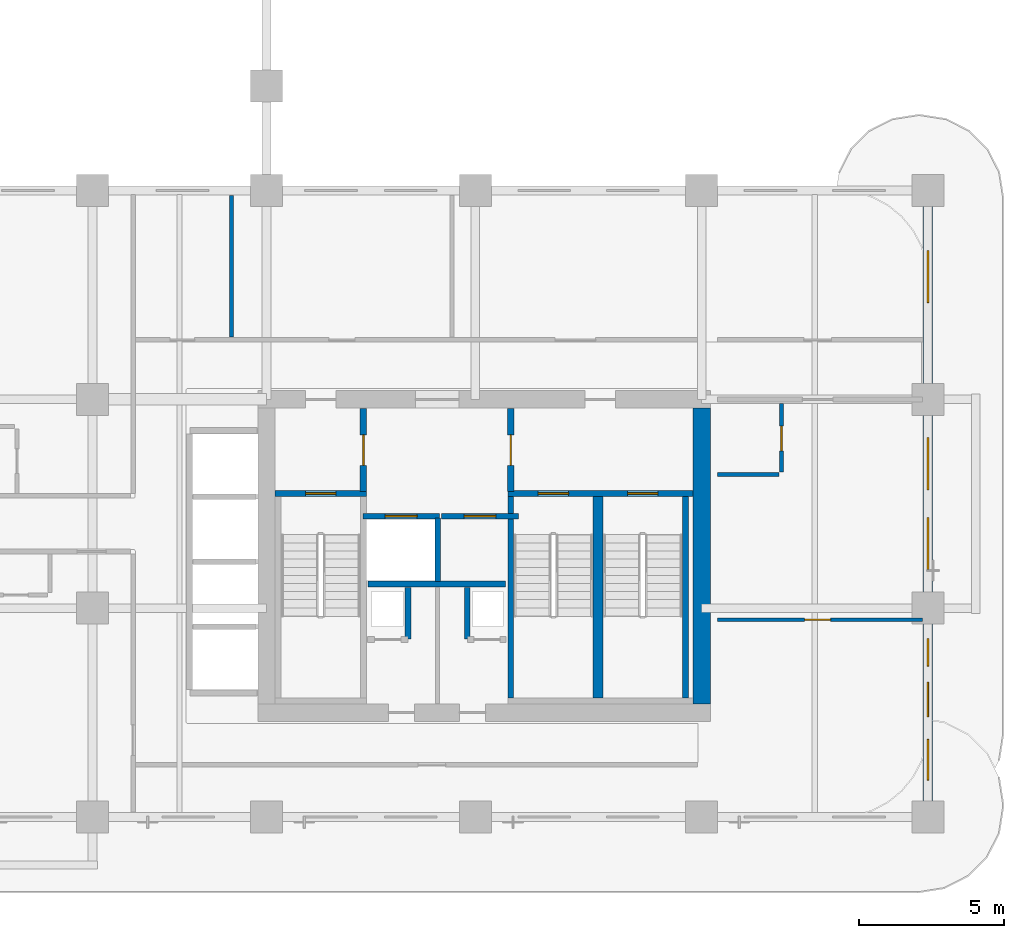
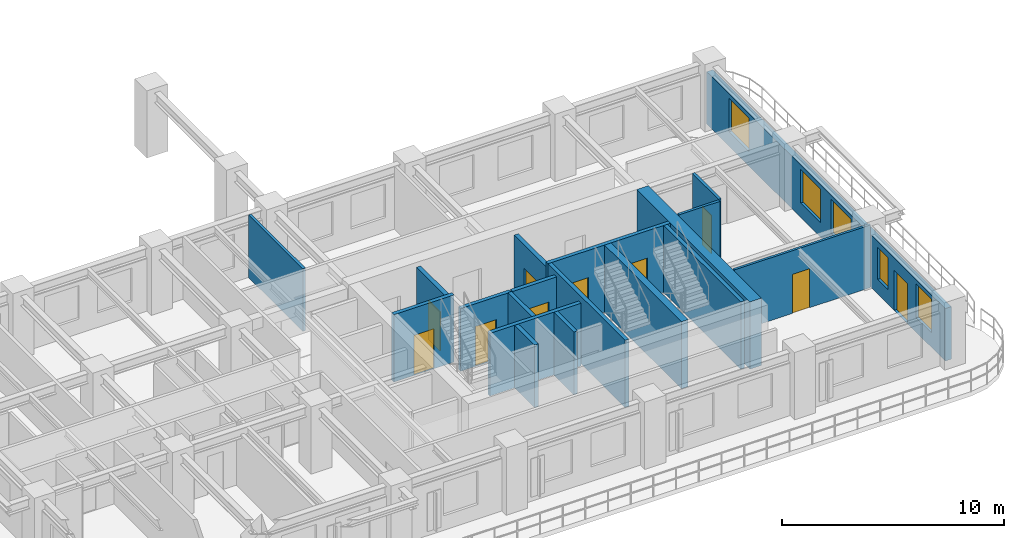
# One storey, part 9 of 19: 19 walls, 10 doors, 5 windows, 15 openings.
"""IFC4 building model written with IfcOpenShell, lengths in metres."""

from ifc_helpers import new_model, si_unit, derived_unit, direction, frame, frame_2d, origin, place, context, subcontext, project, spatial, rectangle, extrude, source, transform, mapped, material, layer, layer_set, type_object, type_shapes, element, fill, save


model = new_model("IFC4")

# Units and contexts
model_context = context("Model", 3, precision=1e-05, world=origin(), true_north=direction((0.0, 1.0)))
body_context = subcontext(model_context, "Body", "Model", "MODEL_VIEW")
ifc_project = project(units=[si_unit("LENGTHUNIT", "METRE"), si_unit("AREAUNIT", "SQUARE_METRE"), si_unit("VOLUMEUNIT", "CUBIC_METRE"), si_unit("PLANEANGLEUNIT", "RADIAN"), si_unit("MASSUNIT", "GRAM", prefix="KILO"), si_unit("THERMODYNAMICTEMPERATUREUNIT", "KELVIN"), si_unit("POWERUNIT", "WATT"), derived_unit("THERMALTRANSMITTANCEUNIT", [(si_unit("POWERUNIT", "WATT"), 1), (si_unit("AREAUNIT", "SQUARE_METRE"), -1), (si_unit("THERMODYNAMICTEMPERATUREUNIT", "KELVIN"), -1)])], contexts=[model_context])

# Site, building, storey
site_placement = place(None, origin())
site = spatial("IfcSite", under=ifc_project, at=site_placement, CompositionType="ELEMENT")
building_placement = place(site_placement, origin())
building = spatial("IfcBuilding", under=site, at=building_placement, Name="Zahravan Archway Hotel and Residences", CompositionType="ELEMENT")
storey_placement = place(building_placement, frame((0.0, 0.0, 32.39990234375)))
storey = spatial("IfcBuildingStorey", under=building, at=storey_placement, Name="L06", CompositionType="ELEMENT", Elevation=32.39990234375)

# Wall
ifc_material_1 = material(Name="Concrete C70/85", Category="concrete")
ifc_layer_1 = layer(ifc_material_1, 0.60009765625, Name="Concrete C70/85", Category="concrete")
ifc_layer_set_1 = layer_set([ifc_layer_1], Name="Concrete C70/85")
wall_type_1 = type_object("IfcWallType", Name="CW-CORE-600", PredefinedType="SHEAR", material=ifc_layer_set_1)
wall_1_placement = place(storey_placement, frame((49.800048828125, 3.89990234375, 0.0), z_axis=(0.0, 0.0, 1.0), x_axis=(0.0, 1.0, 0.0)))
element("IfcWall", 1, at=wall_1_placement, inside=storey, type_object=wall_type_1, Name="L06 Core A Shear E Wall 600 mm", PredefinedType="SHEAR", context=body_context, shape_type="SweptSolid", body=[
    extrude(rectangle(XDim=10.2001953125, YDim=0.60009765625, at=frame_2d((5.10009765625, 0.0))), origin(), (0.0, 0.0, 1.0), 3.7001953125),
])

# Wall, openings, door, windows
ifc_material_2 = material(Name="Agra Buff Sandstone & Insulated Backup", Category="masonry")
ifc_layer_2 = layer(ifc_material_2, 0.320068359375, Name="Agra Buff Sandstone & Insulated Backup", Category="masonry")
ifc_layer_set_2 = layer_set([ifc_layer_2], Name="Agra Buff Sandstone & Insulated Backup")
wall_type_2 = type_object("IfcWallType", Name="EW-SAND-320", PredefinedType="SOLIDWALL", material=ifc_layer_set_2)
wall_2_placement = place(storey_placement, frame((57.60009765625, 0.050048828125, 0.0), z_axis=(0.0, 0.0, 1.0), x_axis=(0.0, 1.0, 0.0)))
wall_2 = element("IfcWall", 2, at=wall_2_placement, inside=storey, type_object=wall_type_2, Name="L06 Exterior Sandstone Wall WA-E", PredefinedType="SOLIDWALL", context=body_context, shape_type="SweptSolid", body=[
    extrude(rectangle(XDim=21.5, YDim=0.320068359375, at=frame_2d((10.75, 0.0))), origin(), (0.0, 0.0, 1.0), 2.885009765625),
])
opening_1_placement = place(wall_2_placement, frame((3.39990234375, 0.0, 0.0)))
opening_1 = element("IfcOpeningElement", 3, at=opening_1_placement, cuts=wall_2, Name="Opening ED-BL1", PredefinedType="OPENING", context=body_context, shape_type="SweptSolid", body=[
    extrude(rectangle(XDim=1.199951171875, YDim=2.199951171875, at=frame_2d((0.60009765625, 1.10009765625))), frame((0.0, 0.169921875, 0.0), z_axis=(0.0, -1.0, 0.0), x_axis=(1.0, 0.0, 0.0)), (0.0, 0.0, 1.0), 0.340087890625),
])
opening_2_placement = place(wall_2_placement, frame((1.22509765625, 0.0, 0.800048828125)))
opening_2 = element("IfcOpeningElement", 4, at=opening_2_placement, cuts=wall_2, Name="Opening W-03", PredefinedType="OPENING", context=body_context, shape_type="SweptSolid", body=[
    extrude(rectangle(XDim=1.39990234375, YDim=1.85009765625, at=frame_2d((0.699951171875, 0.925048828125))), frame((0.0, 0.169921875, 0.0), z_axis=(0.0, -1.0, 0.0), x_axis=(1.0, 0.0, 0.0)), (0.0, 0.0, 1.0), 0.340087890625),
])
opening_3_placement = place(wall_2_placement, frame((5.14990234375, 0.0, 0.800048828125)))
opening_3 = element("IfcOpeningElement", 5, at=opening_3_placement, cuts=wall_2, Name="Opening W-04", PredefinedType="OPENING", context=body_context, shape_type="SweptSolid", body=[
    extrude(rectangle(XDim=0.949951171875, YDim=1.75, at=frame_2d((0.47509765625, 0.875))), frame((0.0, 0.169921875, 0.0), z_axis=(0.0, -1.0, 0.0), x_axis=(1.0, 0.0, 0.0)), (0.0, 0.0, 1.0), 0.340087890625),
])
opening_4_placement = place(wall_2_placement, frame((8.47509765625, 0.0, 0.800048828125)))
opening_4 = element("IfcOpeningElement", 6, at=opening_4_placement, cuts=wall_2, Name="Opening W-02", PredefinedType="OPENING", context=body_context, shape_type="SweptSolid", body=[
    extrude(rectangle(XDim=1.800048828125, YDim=1.85009765625, at=frame_2d((0.89990234375, 0.925048828125))), frame((0.0, 0.169921875, 0.0), z_axis=(0.0, -1.0, 0.0), x_axis=(1.0, 0.0, 0.0)), (0.0, 0.0, 1.0), 0.340087890625),
])
opening_5_placement = place(wall_2_placement, frame((11.22509765625, 0.0, 0.800048828125)))
opening_5 = element("IfcOpeningElement", 7, at=opening_5_placement, cuts=wall_2, Name="Opening W-02", PredefinedType="OPENING", context=body_context, shape_type="SweptSolid", body=[
    extrude(rectangle(XDim=1.800048828125, YDim=1.85009765625, at=frame_2d((0.89990234375, 0.925048828125))), frame((0.0, 0.169921875, 0.0), z_axis=(0.0, -1.0, 0.0), x_axis=(1.0, 0.0, 0.0)), (0.0, 0.0, 1.0), 0.340087890625),
])
opening_6_placement = place(wall_2_placement, frame((17.678955078125, 0.0, 0.800048828125)))
opening_6 = element("IfcOpeningElement", 8, at=opening_6_placement, cuts=wall_2, Name="Opening W-02", PredefinedType="OPENING", context=body_context, shape_type="SweptSolid", body=[
    extrude(rectangle(XDim=1.800048828125, YDim=1.85009765625, at=frame_2d((0.89990234375, 0.925048828125))), frame((0.0, 0.169921875, 0.0), z_axis=(0.0, -1.0, 0.0), x_axis=(1.0, 0.0, 0.0)), (0.0, 0.0, 1.0), 0.340087890625),
])
ifc_material_3 = material(Name="Bronze-Anodized Glazed Aluminium", Category="aluminium")
door_type_1 = type_object("IfcDoorType", Name="ED-BALC-1200", OperationType="SLIDING_TO_LEFT", PredefinedType="DOOR", material=ifc_material_3)
shared_shape_1 = source(origin(), body_context, "Body", "SweptSolid", [
    extrude(rectangle(XDim=1.199951171875, YDim=2.199951171875, at=frame_2d((0.60009765625, 1.10009765625))), frame((0.0, 0.02490234375, 0.0), z_axis=(0.0, -1.0, 0.0), x_axis=(1.0, 0.0, 0.0)), (0.0, 0.0, 1.0), 0.050048828125),
])
type_shapes(door_type_1, [shared_shape_1])
door_1_placement = place(opening_1_placement, origin())
door_1 = element("IfcDoor", 9, at=door_1_placement, inside=storey, type_object=door_type_1, Name="L06 Outdoor Access Sliding Door (SLB-BAL-L06-EA)", OperationType="SLIDING_TO_LEFT", OverallHeight=2.199951171875, OverallWidth=1.199951171875, PredefinedType="DOOR", context=body_context, shape_type="MappedRepresentation", body=[
    mapped(shared_shape_1, transform((0.0, 0.0, 0.0), scale=1.0)),
])
fill(opening_1, door_1)
ifc_material_4 = material(Name="Bronze-Anodized Thermal-Break Aluminium & Low-E Glass", Category="aluminium")
window_type_1 = type_object("IfcWindowType", Name="WIN-TWR-1400", PartitioningType="SINGLE_PANEL", PredefinedType="WINDOW", material=ifc_material_4)
shared_shape_2 = source(origin(), body_context, "Body", "SweptSolid", [
    extrude(rectangle(XDim=1.39990234375, YDim=1.85009765625, at=frame_2d((0.699951171875, 0.925048828125))), frame((0.0, 0.030029296875, 0.0), z_axis=(0.0, -1.0, 0.0), x_axis=(1.0, 0.0, 0.0)), (0.0, 0.0, 1.0), 0.06005859375),
])
type_shapes(window_type_1, [shared_shape_2])
window_1_placement = place(opening_2_placement, origin())
window_1 = element("IfcWindow", 10, at=window_1_placement, inside=storey, type_object=window_type_1, Name="L06 Loggia Window 12", OverallHeight=1.85009765625, OverallWidth=1.39990234375, PartitioningType="SINGLE_PANEL", PredefinedType="WINDOW", context=body_context, shape_type="MappedRepresentation", body=[
    mapped(shared_shape_2, transform((0.0, 0.0, 0.0), scale=1.0)),
])
fill(opening_2, window_1)
window_type_2 = type_object("IfcWindowType", Name="WIN-NAR-950", PartitioningType="SINGLE_PANEL", PredefinedType="WINDOW", material=ifc_material_4)
shared_shape_3 = source(origin(), body_context, "Body", "SweptSolid", [
    extrude(rectangle(XDim=0.949951171875, YDim=1.75, at=frame_2d((0.47509765625, 0.875))), frame((0.0, 0.030029296875, 0.0), z_axis=(0.0, -1.0, 0.0), x_axis=(1.0, 0.0, 0.0)), (0.0, 0.0, 1.0), 0.06005859375),
])
type_shapes(window_type_2, [shared_shape_3])
window_2_placement = place(opening_3_placement, origin())
window_2 = element("IfcWindow", 11, at=window_2_placement, inside=storey, type_object=window_type_2, Name="L06 Loggia Window 13", OverallHeight=1.75, OverallWidth=0.949951171875, PartitioningType="SINGLE_PANEL", PredefinedType="WINDOW", context=body_context, shape_type="MappedRepresentation", body=[
    mapped(shared_shape_3, transform((0.0, 0.0, 0.0), scale=1.0)),
])
fill(opening_3, window_2)
window_type_3 = type_object("IfcWindowType", Name="WIN-TWR-1800", PartitioningType="DOUBLE_PANEL_VERTICAL", PredefinedType="WINDOW", material=ifc_material_4)
shared_shape_4 = source(origin(), body_context, "Body", "SweptSolid", [
    extrude(rectangle(XDim=1.800048828125, YDim=1.85009765625, at=frame_2d((0.89990234375, 0.925048828125))), frame((0.0, 0.030029296875, 0.0), z_axis=(0.0, -1.0, 0.0), x_axis=(1.0, 0.0, 0.0)), (0.0, 0.0, 1.0), 0.06005859375),
])
type_shapes(window_type_3, [shared_shape_4])
window_3_placement = place(opening_4_placement, origin())
window_3 = element("IfcWindow", 12, at=window_3_placement, inside=storey, type_object=window_type_3, Name="L06 Loggia Window 14", OverallHeight=1.85009765625, OverallWidth=1.800048828125, PartitioningType="DOUBLE_PANEL_VERTICAL", PredefinedType="WINDOW", context=body_context, shape_type="MappedRepresentation", body=[
    mapped(shared_shape_4, transform((0.0, 0.0, 0.0), scale=1.0)),
])
fill(opening_4, window_3)
window_4_placement = place(opening_5_placement, origin())
window_4 = element("IfcWindow", 13, at=window_4_placement, inside=storey, type_object=window_type_3, Name="L06 Loggia Window 15", OverallHeight=1.85009765625, OverallWidth=1.800048828125, PartitioningType="DOUBLE_PANEL_VERTICAL", PredefinedType="WINDOW", context=body_context, shape_type="MappedRepresentation", body=[
    mapped(shared_shape_4, transform((0.0, 0.0, 0.0), scale=1.0)),
])
fill(opening_5, window_4)
window_5_placement = place(opening_6_placement, origin())
window_5 = element("IfcWindow", 14, at=window_5_placement, inside=storey, type_object=window_type_3, Name="L06 Loggia Window 16", OverallHeight=1.85009765625, OverallWidth=1.800048828125, PartitioningType="DOUBLE_PANEL_VERTICAL", PredefinedType="WINDOW", context=body_context, shape_type="MappedRepresentation", body=[
    mapped(shared_shape_4, transform((0.0, 0.0, 0.0), scale=1.0)),
])
fill(opening_6, window_5)

# Wall, opening, door
ifc_material_5 = material(Name="Fire-Rated Gypsum & Concrete Block", Category="concrete")
ifc_layer_3 = layer(ifc_material_5, 0.219970703125, Name="Fire-Rated Gypsum & Concrete Block", Category="concrete")
ifc_layer_set_3 = layer_set([ifc_layer_3], Name="Fire-Rated Gypsum & Concrete Block")
wall_type_3 = type_object("IfcWallType", Name="PW-COMP-220", PredefinedType="PARTITIONING", material=ifc_layer_set_3)
wall_3_placement = place(storey_placement, frame((38.139892578125, 11.219970703125, 0.0), z_axis=(0.0, 0.0, 1.0), x_axis=(0.0, 1.0, 0.0)))
wall_3 = element("IfcWall", 15, at=wall_3_placement, inside=storey, type_object=wall_type_3, Name="L06 Partition CA-LOBW", PredefinedType="PARTITIONING", context=body_context, shape_type="SweptSolid", body=[
    extrude(rectangle(XDim=2.860107421875, YDim=0.219970703125, at=frame_2d((1.43017578125, 0.0))), origin(), (0.0, 0.0, 1.0), 3.4501953125),
])
opening_7_placement = place(wall_3_placement, frame((0.905029296875, 0.0, 0.0)))
opening_7 = element("IfcOpeningElement", 16, at=opening_7_placement, cuts=wall_3, Name="Opening FD-L2", PredefinedType="OPENING", context=body_context, shape_type="SweptSolid", body=[
    extrude(rectangle(XDim=1.050048828125, YDim=2.14990234375, at=frame_2d((0.52490234375, 1.074951171875))), frame((0.0, 0.1201171875, 0.0), z_axis=(0.0, -1.0, 0.0), x_axis=(1.0, 0.0, 0.0)), (0.0, 0.0, 1.0), 0.239990234375),
])
ifc_material_6 = material(Name="Fire-Rated Painted Steel", Category="steel")
door_type_2 = type_object("IfcDoorType", Name="FD-LOBBY-1100", OperationType="NOTDEFINED", PredefinedType="DOOR", material=ifc_material_6)
shared_shape_5 = source(origin(), body_context, "Body", "SweptSolid", [
    extrude(rectangle(XDim=1.050048828125, YDim=2.14990234375, at=frame_2d((0.52490234375, 1.074951171875))), frame((0.0, 0.02490234375, 0.0), z_axis=(0.0, -1.0, 0.0), x_axis=(1.0, 0.0, 0.0)), (0.0, 0.0, 1.0), 0.050048828125),
])
type_shapes(door_type_2, [shared_shape_5])
door_2_placement = place(opening_7_placement, origin())
door_2 = element("IfcDoor", 17, at=door_2_placement, inside=storey, type_object=door_type_2, Name="L06 Core A West Stair to FSAE Lobby Door", OperationType="SINGLE_SWING_LEFT", OverallHeight=2.14990234375, OverallWidth=1.050048828125, PredefinedType="DOOR", context=body_context, shape_type="MappedRepresentation", body=[
    mapped(shared_shape_5, transform((0.0, 0.0, 0.0), scale=1.0)),
])
fill(opening_7, door_2)

wall_4_placement = place(storey_placement, frame((43.219970703125, 11.219970703125, 0.0), z_axis=(0.0, 0.0, 1.0), x_axis=(0.0, 1.0, 0.0)))
wall_4 = element("IfcWall", 18, at=wall_4_placement, inside=storey, type_object=wall_type_3, Name="L06 Partition CA-LOBE", PredefinedType="PARTITIONING", context=body_context, shape_type="SweptSolid", body=[
    extrude(rectangle(XDim=2.860107421875, YDim=0.219970703125, at=frame_2d((1.43017578125, 0.0))), origin(), (0.0, 0.0, 1.0), 3.4501953125),
])
opening_8_placement = place(wall_4_placement, frame((0.905029296875, 0.0, 0.0)))
opening_8 = element("IfcOpeningElement", 19, at=opening_8_placement, cuts=wall_4, Name="Opening FD-L2", PredefinedType="OPENING", context=body_context, shape_type="SweptSolid", body=[
    extrude(rectangle(XDim=1.050048828125, YDim=2.14990234375, at=frame_2d((0.52490234375, 1.074951171875))), frame((0.0, 0.1201171875, 0.0), z_axis=(0.0, -1.0, 0.0), x_axis=(1.0, 0.0, 0.0)), (0.0, 0.0, 1.0), 0.239990234375),
])
door_3_placement = place(opening_8_placement, origin())
door_3 = element("IfcDoor", 20, at=door_3_placement, inside=storey, type_object=door_type_2, Name="L06 Core A East Stair to FSAE Lobby Door", OperationType="SINGLE_SWING_RIGHT", OverallHeight=2.14990234375, OverallWidth=1.050048828125, PredefinedType="DOOR", context=body_context, shape_type="MappedRepresentation", body=[
    mapped(shared_shape_5, transform((0.0, 0.0, 0.0), scale=1.0)),
])
fill(opening_8, door_3)

ifc_material_7 = material(Name="Acoustic Stud Partition")
ifc_layer_4 = layer(ifc_material_7, 0.125, Name="Acoustic Stud Partition")
ifc_layer_set_4 = layer_set([ifc_layer_4], Name="Acoustic Stud Partition")
wall_type_4 = type_object("IfcWallType", Name="PW-INT-125", PredefinedType="PARTITIONING", material=ifc_layer_set_4)
wall_5_placement = place(storey_placement, frame((50.340087890625, 6.800048828125, 0.0), z_axis=(0.0, 0.0, 1.0), x_axis=(1.0, 0.0, 0.0)))
wall_5 = element("IfcWall", 21, at=wall_5_placement, inside=storey, type_object=wall_type_4, Name="L06 Partition EA-PM", PredefinedType="PARTITIONING", context=body_context, shape_type="SweptSolid", body=[
    extrude(rectangle(XDim=7.06982421875, YDim=0.125, at=frame_2d((3.534912109375, 0.0))), origin(), (0.0, 0.0, 1.0), 3.4501953125),
])
opening_9_placement = place(wall_5_placement, frame((3.010009765625, 0.0, 0.0)))
opening_9 = element("IfcOpeningElement", 22, at=opening_9_placement, cuts=wall_5, Name="Opening D-I2", PredefinedType="OPENING", context=body_context, shape_type="SweptSolid", body=[
    extrude(rectangle(XDim=0.89990234375, YDim=2.14990234375, at=frame_2d((0.449951171875, 1.074951171875))), frame((0.0, 0.072509765625, 0.0), z_axis=(0.0, -1.0, 0.0), x_axis=(1.0, 0.0, 0.0)), (0.0, 0.0, 1.0), 0.14501953125),
])
ifc_material_8 = material(Name="Hardwood Veneer Timber", Category="wood")
door_type_3 = type_object("IfcDoorType", Name="ID-INT-900", OperationType="NOTDEFINED", PredefinedType="DOOR", material=ifc_material_8)
shared_shape_6 = source(origin(), body_context, "Body", "SweptSolid", [
    extrude(rectangle(XDim=0.89990234375, YDim=2.14990234375, at=frame_2d((0.449951171875, 1.074951171875))), frame((0.0, 0.02490234375, 0.0), z_axis=(0.0, -1.0, 0.0), x_axis=(1.0, 0.0, 0.0)), (0.0, 0.0, 1.0), 0.050048828125),
])
type_shapes(door_type_3, [shared_shape_6])
door_4_placement = place(opening_9_placement, origin())
door_4 = element("IfcDoor", 23, at=door_4_placement, inside=storey, type_object=door_type_3, Name="L06 East Suite Bedroom Door", OperationType="SINGLE_SWING_LEFT", OverallHeight=2.14990234375, OverallWidth=0.89990234375, PredefinedType="DOOR", context=body_context, shape_type="MappedRepresentation", body=[
    mapped(shared_shape_6, transform((0.0, 0.0, 0.0), scale=1.0)),
])
fill(opening_9, door_4)

# Walls
ifc_layer_5 = layer(ifc_material_5, 0.199951171875, Name="Fire-Rated Gypsum & Concrete Block", Category="concrete")
ifc_layer_set_5 = layer_set([ifc_layer_5], Name="Fire-Rated Gypsum & Concrete Block")
wall_type_5 = type_object("IfcWallType", Name="PW-SHAFT-200", PredefinedType="PARTITIONING", material=ifc_layer_set_5)
wall_6_placement = place(storey_placement, frame((38.300048828125, 8.030029296875, 0.0), z_axis=(0.0, 0.0, 1.0), x_axis=(1.0, 0.0, 0.0)))
element("IfcWall", 24, at=wall_6_placement, inside=storey, type_object=wall_type_5, Name="L06 Partition CA-FLS", PredefinedType="PARTITIONING", context=body_context, shape_type="SweptSolid", body=[
    extrude(rectangle(XDim=4.739990234375, YDim=0.199951171875, at=frame_2d((2.3701171875, 0.0))), origin(), (0.0, 0.0, 1.0), 3.4501953125),
])
wall_7_placement = place(storey_placement, frame((40.699951171875, 8.1201171875, 0.0), z_axis=(0.0, 0.0, 1.0), x_axis=(0.0, 1.0, 0.0)))
element("IfcWall", 25, at=wall_7_placement, inside=storey, type_object=wall_type_5, Name="L06 Partition CA-FLM", PredefinedType="PARTITIONING", context=body_context, shape_type="SweptSolid", body=[
    extrude(rectangle(XDim=2.179931640625, YDim=0.199951171875, at=frame_2d((1.08984375, 0.0))), origin(), (0.0, 0.0, 1.0), 3.4501953125),
])
for number, where, z_axis, x_axis, name in (
    (26, (39.679931640625, 6.1298828125, 0.0), (0.0, 0.0, 1.0), (0.0, 1.0, 0.0), "L06 Partition CA-SMKE"),
    (27, (41.719970703125, 6.1298828125, 0.0), (0.0, 0.0, 1.0), (0.0, 1.0, 0.0), "L06 Partition CA-MEPW"),
):
    element("IfcWall", number, at=place(storey_placement, frame(where, z_axis=z_axis, x_axis=x_axis)), inside=storey, type_object=wall_type_5, Name=name, PredefinedType="PARTITIONING", context=body_context, shape_type="SweptSolid", body=[
        extrude(rectangle(XDim=1.7900390625, YDim=0.199951171875, at=frame_2d((0.89501953125, 0.0))), origin(), (0.0, 0.0, 1.0), 3.4501953125),
    ])

# Wall, opening, door
wall_8_placement = place(storey_placement, frame((38.1201171875, 10.3701171875, 0.0), z_axis=(0.0, 0.0, 1.0), x_axis=(1.0, 0.0, 0.0)))
wall_8 = element("IfcWall", 28, at=wall_8_placement, inside=storey, type_object=wall_type_5, Name="L06 Lift FL-1 Front Wall", PredefinedType="PARTITIONING", context=body_context, shape_type="SweptSolid", body=[
    extrude(rectangle(XDim=2.639892578125, YDim=0.199951171875, at=frame_2d((1.31982421875, 0.0))), origin(), (0.0, 0.0, 1.0), 3.4501953125),
])
opening_10_placement = place(wall_8_placement, frame((0.77001953125, 0.0, 0.0)))
opening_10 = element("IfcOpeningElement", 29, at=opening_10_placement, cuts=wall_8, Name="Opening LD", PredefinedType="OPENING", context=body_context, shape_type="SweptSolid", body=[
    extrude(rectangle(XDim=1.10009765625, YDim=2.199951171875, at=frame_2d((0.550048828125, 1.10009765625))), frame((0.0, 0.10986328125, 0.0), z_axis=(0.0, -1.0, 0.0), x_axis=(1.0, 0.0, 0.0)), (0.0, 0.0, 1.0), 0.219970703125),
])
ifc_material_9 = material(Name="Brushed Stainless Steel", Category="steel")
door_type_4 = type_object("IfcDoorType", Name="DR-LIFT-LD", OperationType="SLIDING_TO_LEFT", PredefinedType="DOOR", material=ifc_material_9)
shared_shape_7 = source(origin(), body_context, "Body", "SweptSolid", [
    extrude(rectangle(XDim=1.10009765625, YDim=2.199951171875, at=frame_2d((0.550048828125, 1.10009765625))), frame((0.0, 0.02490234375, 0.0), z_axis=(0.0, -1.0, 0.0), x_axis=(1.0, 0.0, 0.0)), (0.0, 0.0, 1.0), 0.050048828125),
])
type_shapes(door_type_4, [shared_shape_7])
door_5_placement = place(opening_10_placement, origin())
door_5 = element("IfcDoor", 30, at=door_5_placement, inside=storey, type_object=door_type_4, Name="L06 Lift FL-1 Sliding Landing Door", OperationType="SLIDING_TO_LEFT", OverallHeight=2.199951171875, OverallWidth=1.10009765625, PredefinedType="DOOR", context=body_context, shape_type="MappedRepresentation", body=[
    mapped(shared_shape_7, transform((0.0, 0.0, 0.0), scale=1.0)),
])
fill(opening_10, door_5)

wall_9_placement = place(storey_placement, frame((40.840087890625, 10.3701171875, 0.0), z_axis=(0.0, 0.0, 1.0), x_axis=(1.0, 0.0, 0.0)))
wall_9 = element("IfcWall", 31, at=wall_9_placement, inside=storey, type_object=wall_type_5, Name="L06 Lift FL-2 Front Wall", PredefinedType="PARTITIONING", context=body_context, shape_type="SweptSolid", body=[
    extrude(rectangle(XDim=2.639892578125, YDim=0.199951171875, at=frame_2d((1.31982421875, 0.0))), origin(), (0.0, 0.0, 1.0), 3.4501953125),
])
opening_11_placement = place(wall_9_placement, frame((0.77001953125, 0.0, 0.0)))
opening_11 = element("IfcOpeningElement", 32, at=opening_11_placement, cuts=wall_9, Name="Opening LD", PredefinedType="OPENING", context=body_context, shape_type="SweptSolid", body=[
    extrude(rectangle(XDim=1.10009765625, YDim=2.199951171875, at=frame_2d((0.550048828125, 1.10009765625))), frame((0.0, 0.10986328125, 0.0), z_axis=(0.0, -1.0, 0.0), x_axis=(1.0, 0.0, 0.0)), (0.0, 0.0, 1.0), 0.219970703125),
])
door_6_placement = place(opening_11_placement, origin())
door_6 = element("IfcDoor", 33, at=door_6_placement, inside=storey, type_object=door_type_4, Name="L06 Lift FL-2 Sliding Landing Door", OperationType="SLIDING_TO_LEFT", OverallHeight=2.199951171875, OverallWidth=1.10009765625, PredefinedType="DOOR", context=body_context, shape_type="MappedRepresentation", body=[
    mapped(shared_shape_7, transform((0.0, 0.0, 0.0), scale=1.0)),
])
fill(opening_11, door_6)

ifc_material_10 = material(Name="Moisture-Resistant Blockwork", Category="masonry")
ifc_layer_6 = layer(ifc_material_10, 0.139892578125, Name="Moisture-Resistant Blockwork", Category="masonry")
ifc_layer_set_6 = layer_set([ifc_layer_6], Name="Moisture-Resistant Blockwork")
wall_type_6 = type_object("IfcWallType", Name="PW-WET-140", PredefinedType="PARTITIONING", material=ifc_layer_set_6)
wall_10_placement = place(storey_placement, frame((52.550048828125, 11.889892578125, 0.0), z_axis=(0.0, 0.0, 1.0), x_axis=(0.0, 1.0, 0.0)))
wall_10 = element("IfcWall", 34, at=wall_10_placement, inside=storey, type_object=wall_type_6, Name="L06 Partition EA-PBV", PredefinedType="PARTITIONING", context=body_context, shape_type="SweptSolid", body=[
    extrude(rectangle(XDim=2.3701171875, YDim=0.139892578125, at=frame_2d((1.18505859375, 0.0))), origin(), (0.0, 0.0, 1.0), 3.4501953125),
])
opening_12_placement = place(wall_10_placement, frame((0.735107421875, 0.0, 0.0)))
opening_12 = element("IfcOpeningElement", 35, at=opening_12_placement, cuts=wall_10, Name="Opening D-B1", PredefinedType="OPENING", context=body_context, shape_type="SweptSolid", body=[
    extrude(rectangle(XDim=0.85009765625, YDim=2.10009765625, at=frame_2d((0.425048828125, 1.050048828125))), frame((0.0, 0.080078125, 0.0), z_axis=(0.0, -1.0, 0.0), x_axis=(1.0, 0.0, 0.0)), (0.0, 0.0, 1.0), 0.159912109375),
])
door_type_5 = type_object("IfcDoorType", Name="ID-BATH-850", OperationType="NOTDEFINED", PredefinedType="DOOR", material=ifc_material_8)
shared_shape_8 = source(origin(), body_context, "Body", "SweptSolid", [
    extrude(rectangle(XDim=0.85009765625, YDim=2.10009765625, at=frame_2d((0.425048828125, 1.050048828125))), frame((0.0, 0.02490234375, 0.0), z_axis=(0.0, -1.0, 0.0), x_axis=(1.0, 0.0, 0.0)), (0.0, 0.0, 1.0), 0.050048828125),
])
type_shapes(door_type_5, [shared_shape_8])
door_7_placement = place(opening_12_placement, origin())
door_7 = element("IfcDoor", 36, at=door_7_placement, inside=storey, type_object=door_type_5, Name="L06 East Suite En-Suite Door", OperationType="SINGLE_SWING_RIGHT", OverallHeight=2.10009765625, OverallWidth=0.85009765625, PredefinedType="DOOR", context=body_context, shape_type="MappedRepresentation", body=[
    mapped(shared_shape_8, transform((0.0, 0.0, 0.0), scale=1.0)),
])
fill(opening_12, door_7)

# Walls
wall_11_placement = place(storey_placement, frame((50.340087890625, 11.800048828125, 0.0), z_axis=(0.0, 0.0, 1.0), x_axis=(1.0, 0.0, 0.0)))
element("IfcWall", 37, at=wall_11_placement, inside=storey, type_object=wall_type_6, Name="L06 Partition EA-PBH", PredefinedType="PARTITIONING", context=body_context, shape_type="SweptSolid", body=[
    extrude(rectangle(XDim=2.119873046875, YDim=0.139892578125, at=frame_2d((1.06005859375, 0.0))), origin(), (0.0, 0.0, 1.0), 3.4501953125),
])
wall_12_placement = place(storey_placement, frame((33.60009765625, 16.5400390625, 0.0), z_axis=(0.0, 0.0, 1.0), x_axis=(0.0, 1.0, 0.0)))
element("IfcWall", 38, at=wall_12_placement, inside=storey, type_object=wall_type_6, Name="L06 Partition NE0-1", PredefinedType="PARTITIONING", context=body_context, shape_type="SweptSolid", body=[
    extrude(rectangle(XDim=4.891845703125, YDim=0.139892578125, at=frame_2d((2.44580078125, 0.0))), origin(), (0.0, 0.0, 1.0), 3.4501953125),
])

# Wall, opening, door
ifc_material_11 = material(Name="Concrete C50/60", Category="concrete")
ifc_layer_7 = layer(ifc_material_11, 0.199951171875, Name="Concrete C50/60", Category="concrete")
ifc_layer_set_7 = layer_set([ifc_layer_7], Name="Concrete C50/60")
wall_type_7 = type_object("IfcWallType", Name="SW-STAIR-200", PredefinedType="SHEAR", material=ifc_layer_set_7)
wall_13_placement = place(storey_placement, frame((35.10009765625, 11.14990234375, 0.0), z_axis=(0.0, 0.0, 1.0), x_axis=(1.0, 0.0, 0.0)))
wall_13 = element("IfcWall", 39, at=wall_13_placement, inside=storey, type_object=wall_type_7, Name="L06 Stairwell RC Wall CA-SA1N", PredefinedType="SHEAR", context=body_context, shape_type="SweptSolid", body=[
    extrude(rectangle(XDim=3.139892578125, YDim=0.199951171875, at=frame_2d((1.56982421875, 0.0))), origin(), (0.0, 0.0, 1.0), 3.7001953125),
])
opening_13_placement = place(wall_13_placement, frame((1.044921875, 0.0, 0.0)))
opening_13 = element("IfcOpeningElement", 40, at=opening_13_placement, cuts=wall_13, Name="Opening FD-S1", PredefinedType="OPENING", context=body_context, shape_type="SweptSolid", body=[
    extrude(rectangle(XDim=1.050048828125, YDim=2.199951171875, at=frame_2d((0.52490234375, 1.10009765625))), frame((0.0, 0.10986328125, 0.0), z_axis=(0.0, -1.0, 0.0), x_axis=(1.0, 0.0, 0.0)), (0.0, 0.0, 1.0), 0.219970703125),
])
door_type_6 = type_object("IfcDoorType", Name="FD-STAIR-1100", OperationType="NOTDEFINED", PredefinedType="DOOR", material=ifc_material_6)
shared_shape_9 = source(origin(), body_context, "Body", "SweptSolid", [
    extrude(rectangle(XDim=1.050048828125, YDim=2.199951171875, at=frame_2d((0.52490234375, 1.10009765625))), frame((0.0, 0.02490234375, 0.0), z_axis=(0.0, -1.0, 0.0), x_axis=(1.0, 0.0, 0.0)), (0.0, 0.0, 1.0), 0.050048828125),
])
type_shapes(door_type_6, [shared_shape_9])
door_8_placement = place(opening_13_placement, origin())
door_8 = element("IfcDoor", 41, at=door_8_placement, inside=storey, type_object=door_type_6, Name="L06 Stair ST-A1 Door", OperationType="SINGLE_SWING_RIGHT", OverallHeight=2.199951171875, OverallWidth=1.050048828125, PredefinedType="DOOR", context=body_context, shape_type="MappedRepresentation", body=[
    mapped(shared_shape_9, transform((0.0, 0.0, 0.0), scale=1.0)),
])
fill(opening_13, door_8)

# Walls
for number, where, z_axis, x_axis, name in (
    (42, (43.219970703125, 4.10009765625, 0.0), (0.0, 0.0, 1.0), (0.0, 1.0, 0.0), "L06 Stairwell RC Wall CA-SA2W"),
    (43, (49.239990234375, 4.10009765625, 0.0), (0.0, 0.0, 1.0), (0.0, 1.0, 0.0), "L06 Stairwell RC Wall CA-SA3E"),
):
    element("IfcWall", number, at=place(storey_placement, frame(where, z_axis=z_axis, x_axis=x_axis)), inside=storey, type_object=wall_type_7, Name=name, PredefinedType="SHEAR", context=body_context, shape_type="SweptSolid", body=[
        extrude(rectangle(XDim=6.949951171875, YDim=0.199951171875, at=frame_2d((3.47509765625, 0.0))), origin(), (0.0, 0.0, 1.0), 3.7001953125),
    ])

# Wall, openings, doors
wall_14_placement = place(storey_placement, frame((43.1201171875, 11.14990234375, 0.0), z_axis=(0.0, 0.0, 1.0), x_axis=(1.0, 0.0, 0.0)))
wall_14 = element("IfcWall", 44, at=wall_14_placement, inside=storey, type_object=wall_type_7, Name="L06 Stairwell RC Wall CA-SA23N", PredefinedType="SHEAR", context=body_context, shape_type="SweptSolid", body=[
    extrude(rectangle(XDim=6.3798828125, YDim=0.199951171875, at=frame_2d((3.18994140625, 0.0))), origin(), (0.0, 0.0, 1.0), 3.7001953125),
])
opening_14_placement = place(wall_14_placement, frame((1.044921875, 0.0, 0.0)))
opening_14 = element("IfcOpeningElement", 45, at=opening_14_placement, cuts=wall_14, Name="Opening FD-S1", PredefinedType="OPENING", context=body_context, shape_type="SweptSolid", body=[
    extrude(rectangle(XDim=1.050048828125, YDim=2.199951171875, at=frame_2d((0.52490234375, 1.10009765625))), frame((0.0, 0.10986328125, 0.0), z_axis=(0.0, -1.0, 0.0), x_axis=(1.0, 0.0, 0.0)), (0.0, 0.0, 1.0), 0.219970703125),
])
opening_15_placement = place(wall_14_placement, frame((4.125, 0.0, 0.0)))
opening_15 = element("IfcOpeningElement", 46, at=opening_15_placement, cuts=wall_14, Name="Opening FD-S1", PredefinedType="OPENING", context=body_context, shape_type="SweptSolid", body=[
    extrude(rectangle(XDim=1.050048828125, YDim=2.199951171875, at=frame_2d((0.52490234375, 1.10009765625))), frame((0.0, 0.10986328125, 0.0), z_axis=(0.0, -1.0, 0.0), x_axis=(1.0, 0.0, 0.0)), (0.0, 0.0, 1.0), 0.219970703125),
])
door_9_placement = place(opening_14_placement, origin())
door_9 = element("IfcDoor", 47, at=door_9_placement, inside=storey, type_object=door_type_6, Name="L06 Stair ST-A2 Door", OperationType="SINGLE_SWING_LEFT", OverallHeight=2.199951171875, OverallWidth=1.050048828125, PredefinedType="DOOR", context=body_context, shape_type="MappedRepresentation", body=[
    mapped(shared_shape_9, transform((0.0, 0.0, 0.0), scale=1.0)),
])
fill(opening_14, door_9)
door_10_placement = place(opening_15_placement, origin())
door_10 = element("IfcDoor", 48, at=door_10_placement, inside=storey, type_object=door_type_6, Name="L06 Stair ST-A3 Door", OperationType="SINGLE_SWING_RIGHT", OverallHeight=2.199951171875, OverallWidth=1.050048828125, PredefinedType="DOOR", context=body_context, shape_type="MappedRepresentation", body=[
    mapped(shared_shape_9, transform((0.0, 0.0, 0.0), scale=1.0)),
])
fill(opening_15, door_10)

# Wall
ifc_layer_8 = layer(ifc_material_11, 0.340087890625, Name="Concrete C50/60", Category="concrete")
ifc_layer_set_8 = layer_set([ifc_layer_8], Name="Concrete C50/60")
wall_type_8 = type_object("IfcWallType", Name="SW-STAIR-340", PredefinedType="SHEAR", material=ifc_layer_set_8)
wall_15_placement = place(storey_placement, frame((46.22998046875, 4.10009765625, 0.0), z_axis=(0.0, 0.0, 1.0), x_axis=(0.0, 1.0, 0.0)))
element("IfcWall", 49, at=wall_15_placement, inside=storey, type_object=wall_type_8, Name="L06 Stairwell RC Wall CA-SA23M", PredefinedType="SHEAR", context=body_context, shape_type="SweptSolid", body=[
    extrude(rectangle(XDim=6.949951171875, YDim=0.340087890625, at=frame_2d((3.47509765625, 0.0))), origin(), (0.0, 0.0, 1.0), 3.7001953125),
])

save(model, "model.ifc")
